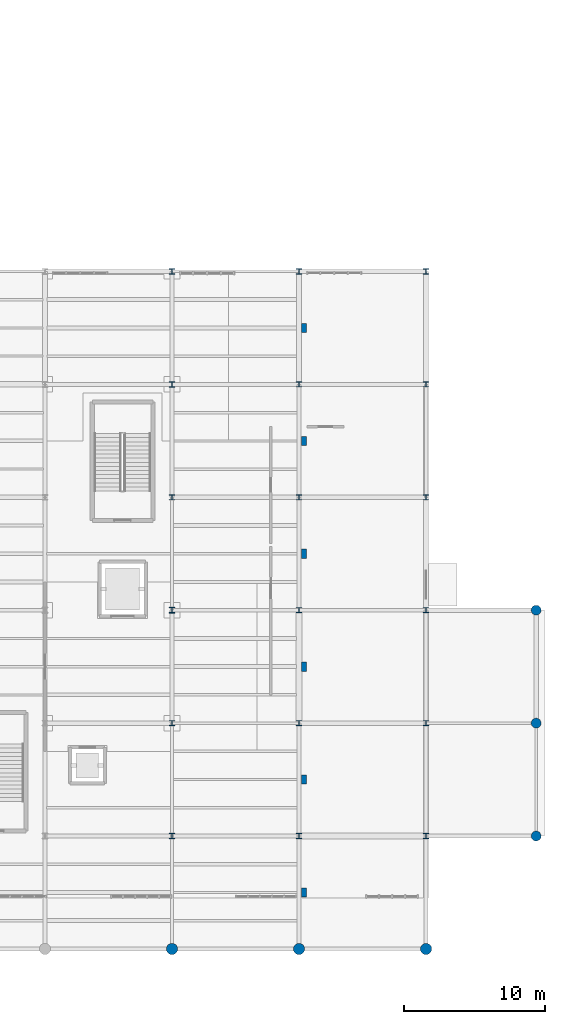
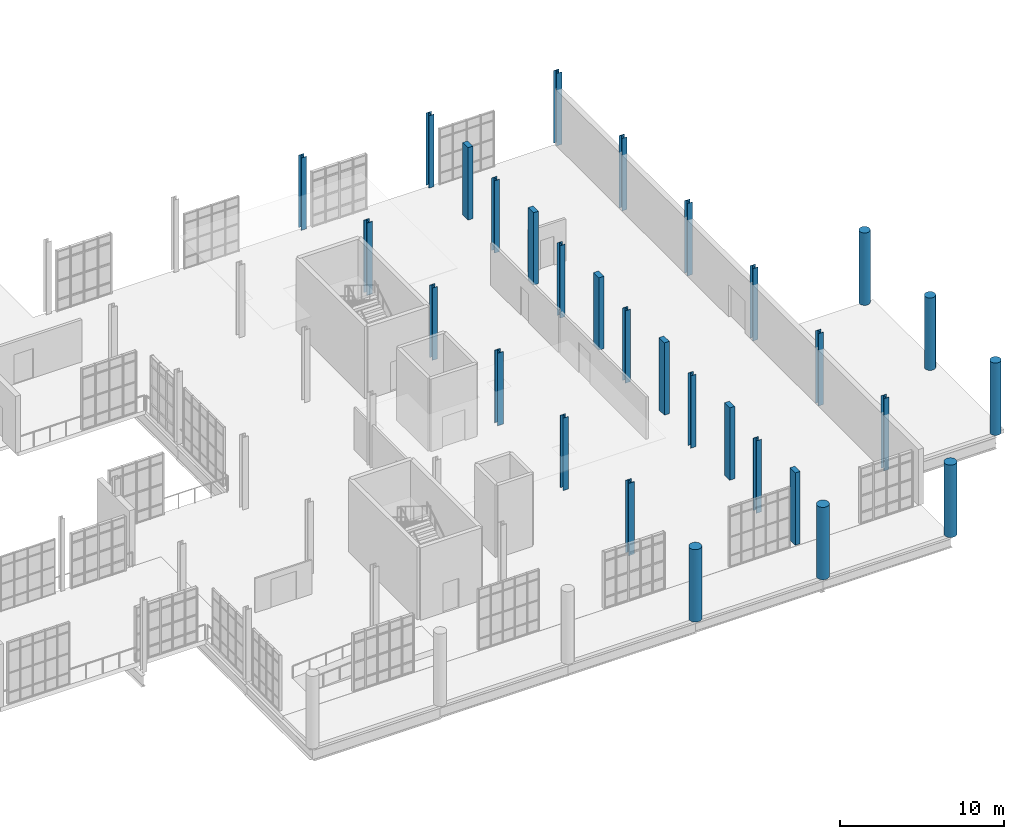
# One storey, part 13 of 189: 30 columns.
"""IFC4 building model written with IfcOpenShell, lengths in metres."""

from ifc_helpers import new_model, si_unit, direction, frame, origin, origin_2d, place, context, subcontext, project, spatial, rectangle, circle, i_section, extrude, material, material_profile, profile_set, type_object, element, save


model = new_model("IFC4")

# Units and contexts
model_context = context("Model", 3, precision=1e-05, world=origin(), true_north=direction((0.0, 1.0)))
body_context = subcontext(model_context, "Body", "Model", "MODEL_VIEW")
ifc_project = project(units=[si_unit("LENGTHUNIT", "METRE"), si_unit("AREAUNIT", "SQUARE_METRE"), si_unit("VOLUMEUNIT", "CUBIC_METRE"), si_unit("PLANEANGLEUNIT", "RADIAN"), si_unit("MASSUNIT", "GRAM", prefix="KILO"), si_unit("THERMODYNAMICTEMPERATUREUNIT", "KELVIN"), si_unit("POWERUNIT", "WATT")], contexts=[model_context])

# Site, building, storey
site_placement = place(None, origin())
site = spatial("IfcSite", under=ifc_project, at=site_placement, CompositionType="ELEMENT")
building_placement = place(site_placement, origin())
building = spatial("IfcBuilding", under=site, at=building_placement, Name="Zelmaris Science Centre", CompositionType="ELEMENT")
storey_placement = place(building_placement, origin())
storey = spatial("IfcBuildingStorey", under=building, at=storey_placement, Name="L00", CompositionType="ELEMENT", Elevation=0.0)

# Columns
ifc_material_1 = material(Name="Steel ASTM A992 Grade 50", Category="steel")
ifc_material_profile_1 = material_profile(ifc_material_1, i_section(OverallWidth=0.40087890625, OverallDepth=0.39892578125, WebThickness=0.02490234375, FlangeThickness=0.03955078125, FilletRadius=0.014892578125, at=origin_2d()), Name="W14X211")
ifc_profile_set_1 = profile_set([ifc_material_profile_1], Name="Steel ASTM A992 Grade 50")
column_type_1 = type_object("IfcColumnType", Name="Column C-03 W14X211", PredefinedType="COLUMN", material=ifc_profile_set_1)
for number, where, z_axis, x_axis, name in (
    (1, (135.0, 16.0, 0.0), (0.0, 0.0, 1.0), (1.0, 0.0, 0.0), "Column V4-C-135-16 L00"),
    (2, (135.0, 32.0, 0.0), (0.0, 0.0, 1.0), (1.0, 0.0, 0.0), "Column V4-C-135-32 L00"),
    (3, (135.0, 48.0, 0.0), (0.0, 0.0, 1.0), (1.0, 0.0, 0.0), "Column V4-C-135-48 L00"),
):
    element("IfcColumn", number, at=place(storey_placement, frame(where, z_axis=z_axis, x_axis=x_axis)), inside=storey, type_object=column_type_1, Name=name, PredefinedType="COLUMN", context=body_context, shape_type="SweptSolid", body=[
        extrude(i_section(OverallWidth=0.40087890625, OverallDepth=0.39892578125, WebThickness=0.02490234375, FlangeThickness=0.03955078125, FilletRadius=0.014892578125, at=origin_2d()), origin(), (0.0, 0.0, 1.0), 5.39990234375),
    ])
ifc_material_profile_2 = material_profile(ifc_material_1, i_section(OverallWidth=0.373046875, OverallDepth=0.367919921875, WebThickness=0.014892578125, FlangeThickness=0.02392578125, FilletRadius=0.014892578125, at=origin_2d()), Name="W14X120")
ifc_profile_set_2 = profile_set([ifc_material_profile_2], Name="Steel ASTM A992 Grade 50")
column_type_2 = type_object("IfcColumnType", Name="Column C-06 W14X120", PredefinedType="COLUMN", material=ifc_profile_set_2)
for number, where, z_axis, x_axis, name in (
    (4, (135.0, 24.0, 0.0), (0.0, 0.0, 1.0), (1.0, 0.0, 0.0), "Column V4-C-135-24 L00"),
    (5, (135.0, 40.0, 0.0), (0.0, 0.0, 1.0), (1.0, 0.0, 0.0), "Column V4-C-135-40 L00"),
    (6, (135.0, 56.0, 0.0), (0.0, 0.0, 1.0), (1.0, 0.0, 0.0), "Column V4-C-135-56 L00"),
    (7, (144.0, 16.0, 0.0), (0.0, 0.0, 1.0), (1.0, 0.0, 0.0), "Column V4-C-144-16 L00"),
    (8, (144.0, 24.0, 0.0), (0.0, 0.0, 1.0), (1.0, 0.0, 0.0), "Column V4-C-144-24 L00"),
    (9, (144.0, 32.0, 0.0), (0.0, 0.0, 1.0), (1.0, 0.0, 0.0), "Column V4-C-144-32 L00"),
    (10, (144.0, 40.0, 0.0), (0.0, 0.0, 1.0), (1.0, 0.0, 0.0), "Column V4-C-144-40 L00"),
    (11, (144.0, 48.0, 0.0), (0.0, 0.0, 1.0), (1.0, 0.0, 0.0), "Column V4-C-144-48 L00"),
    (12, (144.0, 56.0, 0.0), (0.0, 0.0, 1.0), (1.0, 0.0, 0.0), "Column V4-C-144-56 L00"),
    (13, (153.0, 16.0, 0.0), (0.0, 0.0, 1.0), (1.0, 0.0, 0.0), "Column V4-C-153-16 L00"),
    (14, (153.0, 24.0, 0.0), (0.0, 0.0, 1.0), (1.0, 0.0, 0.0), "Column V4-C-153-24 L00"),
    (15, (153.0, 32.0, 0.0), (0.0, 0.0, 1.0), (1.0, 0.0, 0.0), "Column V4-C-153-32 L00"),
    (16, (153.0, 40.0, 0.0), (0.0, 0.0, 1.0), (1.0, 0.0, 0.0), "Column V4-C-153-40 L00"),
    (17, (153.0, 48.0, 0.0), (0.0, 0.0, 1.0), (1.0, 0.0, 0.0), "Column V4-C-153-48 L00"),
    (18, (153.0, 56.0, 0.0), (0.0, 0.0, 1.0), (1.0, 0.0, 0.0), "Column V4-C-153-56 L00"),
):
    element("IfcColumn", number, at=place(storey_placement, frame(where, z_axis=z_axis, x_axis=x_axis)), inside=storey, type_object=column_type_2, Name=name, PredefinedType="COLUMN", context=body_context, shape_type="SweptSolid", body=[
        extrude(i_section(OverallWidth=0.373046875, OverallDepth=0.367919921875, WebThickness=0.014892578125, FlangeThickness=0.02392578125, FilletRadius=0.014892578125, at=origin_2d()), origin(), (0.0, 0.0, 1.0), 5.39990234375),
    ])
ifc_material_2 = material(Name="Yucatan limestone ashlar masonry", Category="masonry")
ifc_material_profile_3 = material_profile(ifc_material_2, circle(Radius=0.39990234375, at=origin_2d()), Name="COL-LIM-D800")
ifc_profile_set_3 = profile_set([ifc_material_profile_3], Name="Yucatan limestone ashlar masonry")
column_type_3 = type_object("IfcColumnType", Name="Column C-17 COL-LIM-D800", PredefinedType="COLUMN", material=ifc_profile_set_3)
for number, where, z_axis, x_axis, name in (
    (19, (135.0, 8.0, 0.0), (0.0, 0.0, 1.0), (1.0, 0.0, 0.0), "Column V4-C-135-8 L00"),
    (20, (144.0, 8.0, 0.0), (0.0, 0.0, 1.0), (1.0, 0.0, 0.0), "Column V4-C-144-8 L00"),
    (21, (153.0, 8.0, 0.0), (0.0, 0.0, 1.0), (1.0, 0.0, 0.0), "Column V4-C-153-8 L00"),
):
    element("IfcColumn", number, at=place(storey_placement, frame(where, z_axis=z_axis, x_axis=x_axis)), inside=storey, type_object=column_type_3, Name=name, PredefinedType="COLUMN", context=body_context, shape_type="SweptSolid", body=[
        extrude(circle(Radius=0.39990234375, at=origin_2d()), origin(), (0.0, 0.0, 1.0), 5.39990234375),
    ])
ifc_material_profile_4 = material_profile(ifc_material_2, circle(Radius=0.35009765625, at=origin_2d()), Name="COL-LIM-D700")
ifc_profile_set_4 = profile_set([ifc_material_profile_4], Name="Yucatan limestone ashlar masonry")
column_type_4 = type_object("IfcColumnType", Name="Column C-18 COL-LIM-D700", PredefinedType="COLUMN", material=ifc_profile_set_4)
for number, where, z_axis, x_axis, name in (
    (22, (160.800048828125, 16.0, 0.0), (0.0, 0.0, 1.0), (1.0, 0.0, 0.0), "Column V4-EC-16 L00"),
    (23, (160.800048828125, 24.0, 0.0), (0.0, 0.0, 1.0), (1.0, 0.0, 0.0), "Column V4-EC-24 L00"),
    (24, (160.800048828125, 32.0, 0.0), (0.0, 0.0, 1.0), (1.0, 0.0, 0.0), "Column V4-EC-32 L00"),
):
    element("IfcColumn", number, at=place(storey_placement, frame(where, z_axis=z_axis, x_axis=x_axis)), inside=storey, type_object=column_type_4, Name=name, PredefinedType="COLUMN", context=body_context, shape_type="SweptSolid", body=[
        extrude(circle(Radius=0.35009765625, at=origin_2d()), origin(), (0.0, 0.0, 1.0), 5.39990234375),
    ])
ifc_material_profile_5 = material_profile(ifc_material_2, rectangle(XDim=0.64990234375, YDim=0.35009765625, at=origin_2d()), Name="PIL-LIM-650X350")
ifc_profile_set_5 = profile_set([ifc_material_profile_5], Name="Yucatan limestone ashlar masonry")
column_type_5 = type_object("IfcColumnType", Name="Pilaster PL-02 PIL-LIM-650X350", PredefinedType="PILASTER", material=ifc_profile_set_5)
for number, where, z_axis, x_axis, name in (
    (25, (144.35009765625, 12.0, 0.0), (0.0, 0.0, 1.0), (0.0, 1.0, 0.0), "Limestone pilaster PIL-V4E-1 L00"),
    (26, (144.35009765625, 20.0, 0.0), (0.0, 0.0, 1.0), (0.0, 1.0, 0.0), "Limestone pilaster PIL-V4E-2 L00"),
    (27, (144.35009765625, 28.0, 0.0), (0.0, 0.0, 1.0), (0.0, 1.0, 0.0), "Limestone pilaster PIL-V4E-3 L00"),
    (28, (144.35009765625, 36.0, 0.0), (0.0, 0.0, 1.0), (0.0, 1.0, 0.0), "Limestone pilaster PIL-V4E-4 L00"),
    (29, (144.35009765625, 44.0, 0.0), (0.0, 0.0, 1.0), (0.0, 1.0, 0.0), "Limestone pilaster PIL-V4E-5 L00"),
    (30, (144.35009765625, 52.0, 0.0), (0.0, 0.0, 1.0), (0.0, 1.0, 0.0), "Limestone pilaster PIL-V4E-6 L00"),
):
    element("IfcColumn", number, at=place(storey_placement, frame(where, z_axis=z_axis, x_axis=x_axis)), inside=storey, type_object=column_type_5, Name=name, PredefinedType="PILASTER", context=body_context, shape_type="SweptSolid", body=[
        extrude(rectangle(XDim=0.64990234375, YDim=0.35009765625, at=origin_2d()), origin(), (0.0, 0.0, 1.0), 5.39990234375),
    ])

save(model, "model.ifc")
